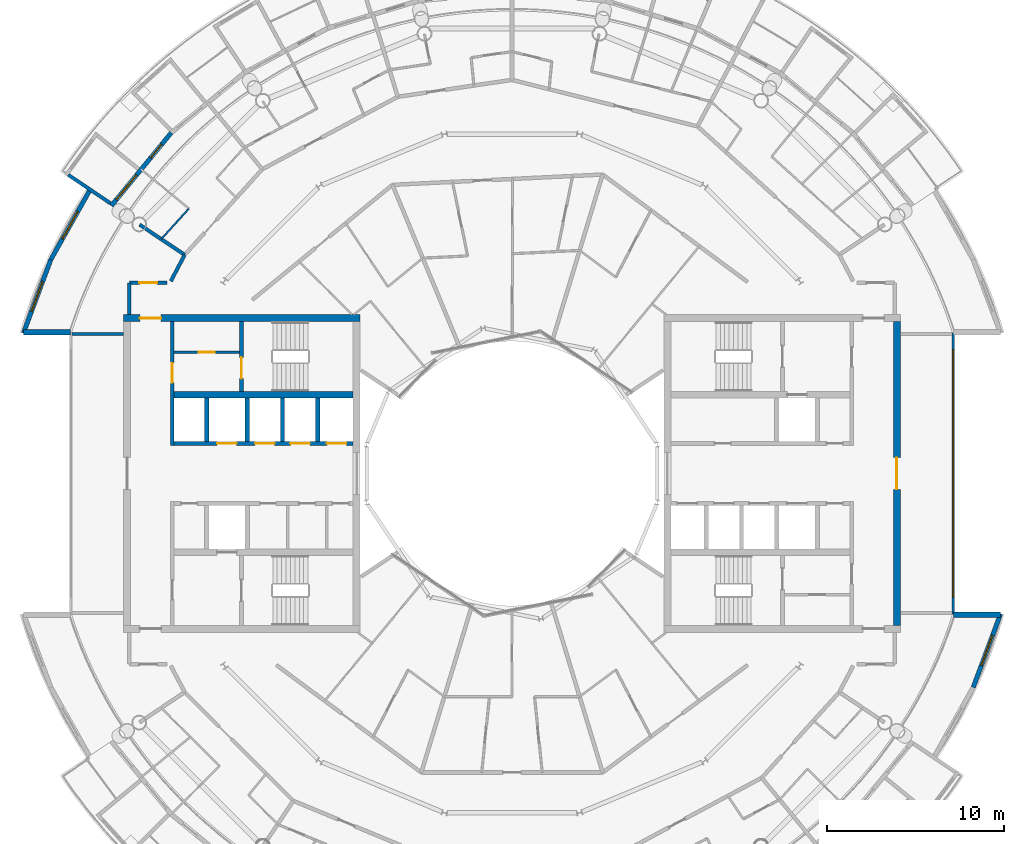
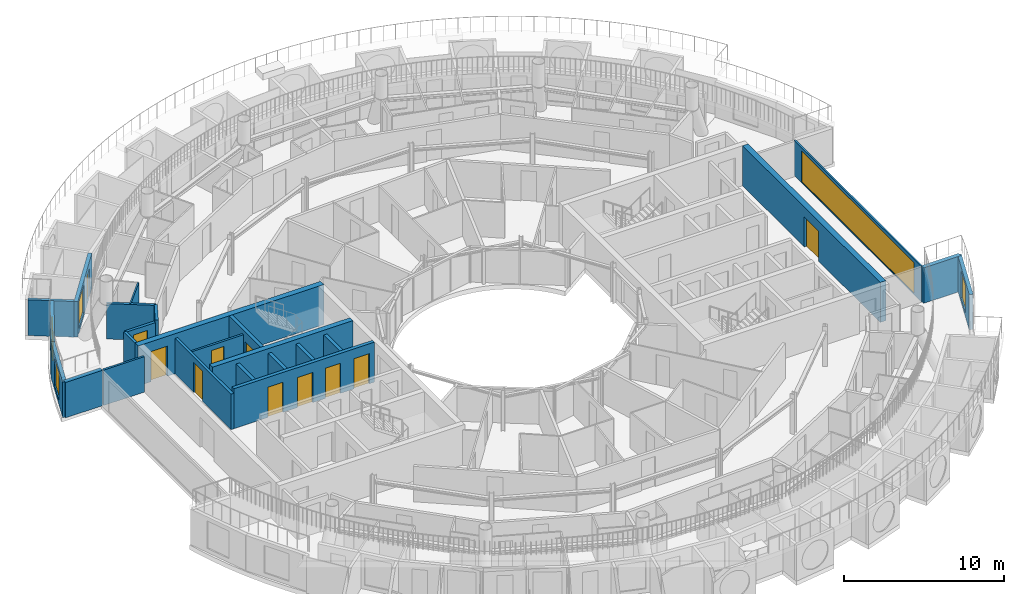
# One storey, part 19 of 29: 25 walls, 11 doors, 5 windows, 16 openings.
"""IFC4 building model written with IfcOpenShell, lengths in metres."""

from ifc_helpers import new_model, si_unit, direction, frame, frame_2d, origin, place, context, subcontext, project, spatial, rectangle, extrude, material, layer, layer_set, type_object, element, fill, save


model = new_model("IFC4")

# Units and contexts
model_context = context("Model", 3, precision=1e-05, world=origin(), true_north=direction((0.0, 1.0)))
body_context = subcontext(model_context, "Body", "Model", "MODEL_VIEW")
ifc_project = project(units=[si_unit("LENGTHUNIT", "METRE"), si_unit("AREAUNIT", "SQUARE_METRE"), si_unit("VOLUMEUNIT", "CUBIC_METRE"), si_unit("PLANEANGLEUNIT", "RADIAN"), si_unit("MASSUNIT", "GRAM", prefix="KILO")], contexts=[model_context])

# Site, building, storey
site_placement = place(None, origin())
site = spatial("IfcSite", under=ifc_project, at=site_placement, CompositionType="ELEMENT")
building_placement = place(site_placement, origin())
building = spatial("IfcBuilding", under=site, at=building_placement, Name="Maasbend Ring Residences", CompositionType="ELEMENT")
storey_placement = place(building_placement, frame((0.0, 0.0, 234.050048828125)))
storey = spatial("IfcBuildingStorey", under=building, at=storey_placement, Name="L67", CompositionType="ELEMENT", Elevation=234.050048828125)

# Wall, openings, doors
ifc_material_1 = material(Name="Concrete C50/60", Category="concrete")
ifc_layer_1 = layer(ifc_material_1, 0.25)
ifc_layer_set_1 = layer_set([ifc_layer_1], Name="Concrete C50/60")
wall_type_1 = type_object("IfcWallType", Name="CORE WALL 250 C50/60", PredefinedType="SHEAR", material=ifc_layer_set_1)
wall_1_placement = place(storey_placement, frame((-9.0, 1.699951171875, 0.0), z_axis=(0.0, 0.0, 1.0), x_axis=(-1.0, 0.0, 0.0)))
wall_1 = element("IfcWall", 1, at=wall_1_placement, inside=storey, type_object=wall_type_1, Name="L67 core W wall SPS", PredefinedType="SHEAR", context=body_context, shape_type="SweptSolid", body=[
    extrude(rectangle(XDim=10.14990234375, YDim=0.25, at=frame_2d((5.074951171875, 0.0))), origin(), (0.0, 0.0, 1.0), 3.050048828125),
])
opening_1_placement = place(wall_1_placement, frame((0.387451171875, 0.0, 0.0)))
opening_1 = element("IfcOpeningElement", 2, at=opening_1_placement, cuts=wall_1, Name="Opening LD-W6702", PredefinedType="OPENING", context=body_context, shape_type="SweptSolid", body=[
    extrude(rectangle(XDim=1.10009765625, YDim=2.300048828125, at=frame_2d((0.550048828125, 1.14990234375))), frame((0.0, 0.135009765625, 0.0), z_axis=(0.0, -1.0, 0.0), x_axis=(1.0, 0.0, 0.0)), (0.0, 0.0, 1.0), 0.27001953125),
])
opening_2_placement = place(wall_1_placement, frame((2.449951171875, 0.0, 0.0)))
opening_2 = element("IfcOpeningElement", 3, at=opening_2_placement, cuts=wall_1, Name="Opening LD-W6703", PredefinedType="OPENING", context=body_context, shape_type="SweptSolid", body=[
    extrude(rectangle(XDim=1.10009765625, YDim=2.300048828125, at=frame_2d((0.550048828125, 1.14990234375))), frame((0.0, 0.135009765625, 0.0), z_axis=(0.0, -1.0, 0.0), x_axis=(1.0, 0.0, 0.0)), (0.0, 0.0, 1.0), 0.27001953125),
])
opening_3_placement = place(wall_1_placement, frame((4.449951171875, 0.0, 0.0)))
opening_3 = element("IfcOpeningElement", 4, at=opening_3_placement, cuts=wall_1, Name="Opening LD-W6704", PredefinedType="OPENING", context=body_context, shape_type="SweptSolid", body=[
    extrude(rectangle(XDim=1.10009765625, YDim=2.300048828125, at=frame_2d((0.550048828125, 1.14990234375))), frame((0.0, 0.135009765625, 0.0), z_axis=(0.0, -1.0, 0.0), x_axis=(1.0, 0.0, 0.0)), (0.0, 0.0, 1.0), 0.27001953125),
])
opening_4_placement = place(wall_1_placement, frame((6.60009765625, 0.0, 0.0)))
opening_4 = element("IfcOpeningElement", 5, at=opening_4_placement, cuts=wall_1, Name="Opening LD-W6705", PredefinedType="OPENING", context=body_context, shape_type="SweptSolid", body=[
    extrude(rectangle(XDim=1.10009765625, YDim=2.300048828125, at=frame_2d((0.550048828125, 1.14990234375))), frame((0.0, 0.135009765625, 0.0), z_axis=(0.0, -1.0, 0.0), x_axis=(1.0, 0.0, 0.0)), (0.0, 0.0, 1.0), 0.27001953125),
])
ifc_material_2 = material(Name="Stainless steel 316", Category="steel")
door_type_1 = type_object("IfcDoorType", Name="LANDING DOOR 1100 X 2300 FD60", OperationType="DOUBLE_DOOR_SLIDING", PredefinedType="DOOR", material=ifc_material_2)
door_1_placement = place(opening_1_placement, origin())
door_1 = element("IfcDoor", 6, at=door_1_placement, inside=storey, type_object=door_type_1, Name="Landing door HR-W1 L67", OperationType="DOUBLE_DOOR_SLIDING", OverallHeight=2.300048828125, OverallWidth=1.10009765625, PredefinedType="DOOR", context=body_context, shape_type="SweptSolid", body=[
    extrude(rectangle(XDim=1.10009765625, YDim=2.300048828125, at=frame_2d((0.550048828125, 1.14990234375))), frame((0.0, 0.02490234375, 0.0), z_axis=(0.0, -1.0, 0.0), x_axis=(1.0, 0.0, 0.0)), (0.0, 0.0, 1.0), 0.050048828125),
])
fill(opening_1, door_1)
door_2_placement = place(opening_2_placement, origin())
door_2 = element("IfcDoor", 7, at=door_2_placement, inside=storey, type_object=door_type_1, Name="Landing door HR-W2 L67", OperationType="DOUBLE_DOOR_SLIDING", OverallHeight=2.300048828125, OverallWidth=1.10009765625, PredefinedType="DOOR", context=body_context, shape_type="SweptSolid", body=[
    extrude(rectangle(XDim=1.10009765625, YDim=2.300048828125, at=frame_2d((0.550048828125, 1.14990234375))), frame((0.0, 0.02490234375, 0.0), z_axis=(0.0, -1.0, 0.0), x_axis=(1.0, 0.0, 0.0)), (0.0, 0.0, 1.0), 0.050048828125),
])
fill(opening_2, door_2)
door_3_placement = place(opening_3_placement, origin())
door_3 = element("IfcDoor", 8, at=door_3_placement, inside=storey, type_object=door_type_1, Name="Landing door HR-W3 L67", OperationType="DOUBLE_DOOR_SLIDING", OverallHeight=2.300048828125, OverallWidth=1.10009765625, PredefinedType="DOOR", context=body_context, shape_type="SweptSolid", body=[
    extrude(rectangle(XDim=1.10009765625, YDim=2.300048828125, at=frame_2d((0.550048828125, 1.14990234375))), frame((0.0, 0.02490234375, 0.0), z_axis=(0.0, -1.0, 0.0), x_axis=(1.0, 0.0, 0.0)), (0.0, 0.0, 1.0), 0.050048828125),
])
fill(opening_3, door_3)
door_4_placement = place(opening_4_placement, origin())
door_4 = element("IfcDoor", 9, at=door_4_placement, inside=storey, type_object=door_type_1, Name="Landing door SV-W L67", OperationType="DOUBLE_DOOR_SLIDING", OverallHeight=2.300048828125, OverallWidth=1.10009765625, PredefinedType="DOOR", context=body_context, shape_type="SweptSolid", body=[
    extrude(rectangle(XDim=1.10009765625, YDim=2.300048828125, at=frame_2d((0.550048828125, 1.14990234375))), frame((0.0, 0.02490234375, 0.0), z_axis=(0.0, -1.0, 0.0), x_axis=(1.0, 0.0, 0.0)), (0.0, 0.0, 1.0), 0.050048828125),
])
fill(opening_4, door_4)

# Wall, opening, door
wall_2_placement = place(storey_placement, frame((-15.324951171875, 8.60009765625, 0.0), z_axis=(0.0, 0.0, 1.0), x_axis=(0.0, -1.0, 0.0)))
wall_2 = element("IfcWall", 10, at=wall_2_placement, inside=storey, type_object=wall_type_1, Name="L67 core W wall STES", PredefinedType="SHEAR", context=body_context, shape_type="SweptSolid", body=[
    extrude(rectangle(XDim=3.9501953125, YDim=0.25, at=frame_2d((1.97509765625, 0.0))), origin(), (0.0, 0.0, 1.0), 3.050048828125),
])
opening_5_placement = place(wall_2_placement, frame((2.02490234375, 0.0, 0.0)))
opening_5 = element("IfcOpeningElement", 11, at=opening_5_placement, cuts=wall_2, Name="Opening D-W6712", PredefinedType="OPENING", context=body_context, shape_type="SweptSolid", body=[
    extrude(rectangle(XDim=1.199951171875, YDim=2.300048828125, at=frame_2d((0.60009765625, 1.14990234375))), frame((0.0, 0.135009765625, 0.0), z_axis=(0.0, -1.0, 0.0), x_axis=(1.0, 0.0, 0.0)), (0.0, 0.0, 1.0), 0.27001953125),
])
ifc_material_3 = material(Name="Steel, powder coated", Category="steel")
door_type_2 = type_object("IfcDoorType", Name="STAIR DOOR 1200 X 2300 FD60", OperationType="NOTDEFINED", PredefinedType="DOOR", material=ifc_material_3)
door_5_placement = place(opening_5_placement, origin())
door_5 = element("IfcDoor", 12, at=door_5_placement, inside=storey, type_object=door_type_2, Name="Stair door ST-W L67", OperationType="SINGLE_SWING_LEFT", OverallHeight=2.300048828125, OverallWidth=1.199951171875, PredefinedType="DOOR", context=body_context, shape_type="SweptSolid", body=[
    extrude(rectangle(XDim=1.199951171875, YDim=2.300048828125, at=frame_2d((0.60009765625, 1.14990234375))), frame((0.0, 0.02490234375, 0.0), z_axis=(0.0, -1.0, 0.0), x_axis=(1.0, 0.0, 0.0)), (0.0, 0.0, 1.0), 0.050048828125),
])
fill(opening_5, door_5)

# Wall
ifc_material_4 = material(Name="Concrete C50/60", Category="concrete")
ifc_layer_2 = layer(ifc_material_4, 0.375)
ifc_layer_set_2 = layer_set([ifc_layer_2], Name="Concrete C50/60")
wall_type_2 = type_object("IfcWallType", Name="CORE WALL 375 C50/60", PredefinedType="SHEAR", material=ifc_layer_set_2)
wall_3_placement = place(storey_placement, frame((-9.0, 4.46240234375, 0.0), z_axis=(0.0, 0.0, 1.0), x_axis=(-1.0, 0.0, 0.0)))
element("IfcWall", 13, at=wall_3_placement, inside=storey, type_object=wall_type_2, Name="L67 core W wall BS", PredefinedType="SHEAR", context=body_context, shape_type="SweptSolid", body=[
    extrude(rectangle(XDim=10.14990234375, YDim=0.375, at=frame_2d((5.074951171875, 0.0))), origin(), (0.0, 0.0, 1.0), 3.050048828125),
])

# Wall, opening, door
ifc_material_5 = material(Name="Concrete C50/60", Category="concrete")
ifc_layer_3 = layer(ifc_material_5, 0.39990234375)
ifc_layer_set_3 = layer_set([ifc_layer_3], Name="Concrete C50/60")
wall_type_3 = type_object("IfcWallType", Name="CORE WALL 400 C50/60", PredefinedType="SHEAR", material=ifc_layer_set_3)
wall_4_placement = place(storey_placement, frame((21.800048828125, 8.60009765625, 0.0), z_axis=(0.0, 0.0, 1.0), x_axis=(0.0, -1.0, 0.0)))
wall_4 = element("IfcWall", 14, at=wall_4_placement, inside=storey, type_object=wall_type_3, Name="L67 core E wall POUT", PredefinedType="SHEAR", context=body_context, shape_type="SweptSolid", body=[
    extrude(rectangle(XDim=17.2001953125, YDim=0.39990234375, at=frame_2d((8.60009765625, 0.0))), origin(), (0.0, 0.0, 1.0), 3.050048828125),
])
opening_6_placement = place(wall_4_placement, frame((7.699951171875, 0.0, 0.0)))
opening_6 = element("IfcOpeningElement", 15, at=opening_6_placement, cuts=wall_4, Name="Opening D-E6716", PredefinedType="OPENING", context=body_context, shape_type="SweptSolid", body=[
    extrude(rectangle(XDim=1.800048828125, YDim=2.300048828125, at=frame_2d((0.89990234375, 1.14990234375))), frame((0.0, 0.2099609375, 0.0), z_axis=(0.0, -1.0, 0.0), x_axis=(1.0, 0.0, 0.0)), (0.0, 0.0, 1.0), 0.419921875),
])
ifc_material_6 = material(Name="Aluminium frame, clear glass", Category="aluminium")
door_type_3 = type_object("IfcDoorType", Name="ENTRANCE DOOR 1800 X 2300 FD60", OperationType="NOTDEFINED", PredefinedType="DOOR", material=ifc_material_6)
door_6_placement = place(opening_6_placement, origin())
door_6 = element("IfcDoor", 16, at=door_6_placement, inside=storey, type_object=door_type_3, Name="Lobby glazed door L67", OperationType="SINGLE_SWING_LEFT", OverallHeight=2.300048828125, OverallWidth=1.800048828125, PredefinedType="DOOR", context=body_context, shape_type="SweptSolid", body=[
    extrude(rectangle(XDim=1.800048828125, YDim=2.300048828125, at=frame_2d((0.89990234375, 1.14990234375))), frame((0.0, 0.02490234375, 0.0), z_axis=(0.0, -1.0, 0.0), x_axis=(1.0, 0.0, 0.0)), (0.0, 0.0, 1.0), 0.050048828125),
])
fill(opening_6, door_6)

wall_5_placement = place(storey_placement, frame((-8.60009765625, 8.800048828125, 0.0), z_axis=(0.0, 0.0, 1.0), x_axis=(-1.0, 0.0, 0.0)))
wall_5 = element("IfcWall", 17, at=wall_5_placement, inside=storey, type_object=wall_type_3, Name="L67 core W wall PS", PredefinedType="SHEAR", context=body_context, shape_type="SweptSolid", body=[
    extrude(rectangle(XDim=13.39990234375, YDim=0.39990234375, at=frame_2d((6.699951171875, 0.0))), origin(), (0.0, 0.0, 1.0), 3.050048828125),
])
opening_7_placement = place(wall_5_placement, frame((11.27490234375, 0.0, 0.0)))
opening_7 = element("IfcOpeningElement", 18, at=opening_7_placement, cuts=wall_5, Name="Opening D-W6716", PredefinedType="OPENING", context=body_context, shape_type="SweptSolid", body=[
    extrude(rectangle(XDim=1.199951171875, YDim=2.300048828125, at=frame_2d((0.60009765625, 1.14990234375))), frame((0.0, 0.2099609375, 0.0), z_axis=(0.0, -1.0, 0.0), x_axis=(1.0, 0.0, 0.0)), (0.0, 0.0, 1.0), 0.419921875),
])
ifc_material_7 = material(Name="Steel, powder coated", Category="steel")
door_type_4 = type_object("IfcDoorType", Name="CORRIDOR DOOR 1200 X 2300 FD30S", OperationType="NOTDEFINED", PredefinedType="DOOR", material=ifc_material_7)
door_7_placement = place(opening_7_placement, origin())
door_7 = element("IfcDoor", 19, at=door_7_placement, inside=storey, type_object=door_type_4, Name="Corridor door L67", OperationType="SINGLE_SWING_LEFT", OverallHeight=2.300048828125, OverallWidth=1.199951171875, PredefinedType="DOOR", context=body_context, shape_type="SweptSolid", body=[
    extrude(rectangle(XDim=1.199951171875, YDim=2.300048828125, at=frame_2d((0.60009765625, 1.14990234375))), frame((0.0, 0.02490234375, 0.0), z_axis=(0.0, -1.0, 0.0), x_axis=(1.0, 0.0, 0.0)), (0.0, 0.0, 1.0), 0.050048828125),
])
fill(opening_7, door_7)

ifc_material_8 = material(Name="Concrete C30/37", Category="concrete")
ifc_layer_4 = layer(ifc_material_8, 0.199951171875)
ifc_layer_set_4 = layer_set([ifc_layer_4], Name="Concrete C30/37")
wall_type_4 = type_object("IfcWallType", Name="CORRIDOR WALL 200 CONCRETE", PredefinedType="PARTITIONING", material=ifc_layer_set_4)
wall_6_placement = place(storey_placement, frame((-21.675048828125, 10.800048828125, 0.0), z_axis=(0.0, 0.0, 1.0), x_axis=(1.0, 0.0, 0.0)))
wall_6 = element("IfcWall", 20, at=wall_6_placement, inside=storey, type_object=wall_type_4, Name="U-L67-w096", PredefinedType="PARTITIONING", context=body_context, shape_type="SweptSolid", body=[
    extrude(rectangle(XDim=2.132080078125, YDim=0.199951171875, at=frame_2d((1.06591796875, 0.0))), origin(), (0.0, 0.0, 1.0), 2.699951171875),
])
opening_8_placement = place(wall_6_placement, frame((0.56591796875, 0.0, 0.0)))
opening_8 = element("IfcOpeningElement", 21, at=opening_8_placement, cuts=wall_6, Name="Opening D-6767", PredefinedType="OPENING", context=body_context, shape_type="SweptSolid", body=[
    extrude(rectangle(XDim=1.0, YDim=2.300048828125, at=frame_2d((0.5, 1.14990234375))), frame((0.0, 0.10986328125, 0.0), z_axis=(0.0, -1.0, 0.0), x_axis=(1.0, 0.0, 0.0)), (0.0, 0.0, 1.0), 0.219970703125),
])
ifc_material_9 = material(Name="Timber, painted", Category="wood")
door_type_5 = type_object("IfcDoorType", Name="ROOM DOOR 1000 X 2300", OperationType="NOTDEFINED", PredefinedType="DOOR", material=ifc_material_9)
door_8_placement = place(opening_8_placement, origin())
door_8 = element("IfcDoor", 22, at=door_8_placement, inside=storey, type_object=door_type_5, Name="D-6767", OperationType="SINGLE_SWING_LEFT", OverallHeight=2.300048828125, OverallWidth=1.0, PredefinedType="DOOR", context=body_context, shape_type="SweptSolid", body=[
    extrude(rectangle(XDim=1.0, YDim=2.300048828125, at=frame_2d((0.5, 1.14990234375))), frame((0.0, 0.02490234375, 0.0), z_axis=(0.0, -1.0, 0.0), x_axis=(1.0, 0.0, 0.0)), (0.0, 0.0, 1.0), 0.050048828125),
])
fill(opening_8, door_8)

# Walls
wall_7_placement = place(storey_placement, frame((-21.675048828125, 9.0, 0.0), z_axis=(0.0, 0.0, 1.0), x_axis=(0.0, 1.0, 0.0)))
element("IfcWall", 23, at=wall_7_placement, inside=storey, type_object=wall_type_4, Name="U-L67-w110", PredefinedType="PARTITIONING", context=body_context, shape_type="SweptSolid", body=[
    extrude(rectangle(XDim=1.800048828125, YDim=0.199951171875, at=frame_2d((0.89990234375, 0.0))), origin(), (0.0, 0.0, 1.0), 2.699951171875),
])
wall_8_placement = place(storey_placement, frame((-19.327880859375, 10.89599609375, 0.0), z_axis=(0.0, 0.0, 1.0), x_axis=(0.465812036273, 0.88488369115, 0.0)))
element("IfcWall", 24, at=wall_8_placement, inside=storey, type_object=wall_type_4, Name="U-L67-w114", PredefinedType="PARTITIONING", context=body_context, shape_type="SweptSolid", body=[
    extrude(rectangle(XDim=1.687255859375, YDim=0.199951171875, at=frame_2d((0.84375, 0.0))), origin(), (0.0, 0.0, 1.0), 2.699951171875),
])
ifc_material_10 = material(Name="Pale anodised aluminium panel", Category="aluminium")
ifc_layer_5 = layer(ifc_material_10, 0.199951171875)
ifc_layer_set_5 = layer_set([ifc_layer_5], Name="EW-BOX")
wall_type_5 = type_object("IfcWallType", Name="EW-BOX", PredefinedType="SOLIDWALL", material=ifc_layer_set_5)
wall_9_placement = place(storey_placement, frame((-22.74609375, 15.306884765625, -0.030029296875), z_axis=(0.0, 0.0, 1.0), x_axis=(-0.829448139117, 0.558583730979, 0.0)))
element("IfcWall", 25, at=wall_9_placement, inside=storey, type_object=wall_type_5, Name="Box side wall N20 right", PredefinedType="SOLIDWALL", context=body_context, shape_type="SweptSolid", body=[
    extrude(rectangle(XDim=2.882568359375, YDim=0.199951171875, at=frame_2d((1.44140625, 0.0))), origin(), (0.0, 0.0, 1.0), 2.72998046875),
])

# Wall, openings, door, window
ifc_material_11 = material(Name="Aluminium clad insulated panel", Category="aluminium")
ifc_layer_6 = layer(ifc_material_11, 0.25)
ifc_layer_set_6 = layer_set([ifc_layer_6], Name="EW-GL")
wall_type_6 = type_object("IfcWallType", Name="EW-GL", PredefinedType="SOLIDWALL", material=ifc_layer_set_6)
wall_10_placement = place(storey_placement, frame((-19.303955078125, 19.303955078125, 0.0), z_axis=(0.0, 0.0, 1.0), x_axis=(-0.634382322723, -0.773019449054, 0.0)))
wall_10 = element("IfcWall", 26, at=wall_10_placement, inside=storey, type_object=wall_type_6, Name="External wall N10", PredefinedType="SOLIDWALL", context=body_context, shape_type="SweptSolid", body=[
    extrude(rectangle(XDim=5.351806640625, YDim=0.25, at=frame_2d((2.67578125, 0.0))), origin(), (0.0, 0.0, 1.0), 2.699951171875),
])
opening_9_placement = place(wall_10_placement, frame((0.841064453125, 0.0, 0.0)))
opening_9 = element("IfcOpeningElement", 27, at=opening_9_placement, cuts=wall_10, Name="Opening D-LG", PredefinedType="OPENING", context=body_context, shape_type="SweptSolid", body=[
    extrude(rectangle(XDim=1.0, YDim=2.199951171875, at=frame_2d((0.5, 1.10009765625))), frame((0.0, 0.135009765625, 0.0), z_axis=(0.0, -1.0, 0.0), x_axis=(1.0, 0.0, 0.0)), (0.0, 0.0, 1.0), 0.27001953125),
])
opening_10_placement = place(wall_10_placement, frame((3.095947265625, 0.0, 0.300048828125)))
opening_10 = element("IfcOpeningElement", 28, at=opening_10_placement, cuts=wall_10, Name="Opening W-BX", PredefinedType="OPENING", context=body_context, shape_type="SweptSolid", body=[
    extrude(rectangle(XDim=1.800048828125, YDim=2.10009765625, at=frame_2d((0.89990234375, 1.050048828125))), frame((0.0, 0.135009765625, 0.0), z_axis=(0.0, -1.0, 0.0), x_axis=(1.0, 0.0, 0.0)), (0.0, 0.0, 1.0), 0.27001953125),
])
ifc_material_12 = material(Name="Aluminium and clear glass", Category="aluminium")
door_type_6 = type_object("IfcDoorType", Name="D-LG", OperationType="SINGLE_SWING_LEFT", PredefinedType="DOOR", material=ifc_material_12)
door_9_placement = place(opening_9_placement, origin())
door_9 = element("IfcDoor", 29, at=door_9_placement, inside=storey, type_object=door_type_6, Name="Loggia door N19", OperationType="SINGLE_SWING_LEFT", OverallHeight=2.199951171875, OverallWidth=1.0, PredefinedType="DOOR", context=body_context, shape_type="SweptSolid", body=[
    extrude(rectangle(XDim=1.0, YDim=2.199951171875, at=frame_2d((0.5, 1.10009765625))), frame((0.0, 0.02490234375, 0.0), z_axis=(0.0, -1.0, 0.0), x_axis=(1.0, 0.0, 0.0)), (0.0, 0.0, 1.0), 0.050048828125),
])
fill(opening_9, door_9)
ifc_material_13 = material(Name="Aluminium and clear glass", Category="aluminium")
window_type_1 = type_object("IfcWindowType", Name="W-BX", PartitioningType="DOUBLE_PANEL_VERTICAL", PredefinedType="WINDOW", material=ifc_material_13)
window_1_placement = place(opening_10_placement, origin())
window_1 = element("IfcWindow", 30, at=window_1_placement, inside=storey, type_object=window_type_1, Name="Window N20 room to box", OverallHeight=2.10009765625, OverallWidth=1.800048828125, PartitioningType="SINGLE_PANEL", PredefinedType="WINDOW", context=body_context, shape_type="SweptSolid", body=[
    extrude(rectangle(XDim=1.800048828125, YDim=2.10009765625, at=frame_2d((0.89990234375, 1.050048828125))), frame((0.0, 0.030029296875, 0.0), z_axis=(0.0, -1.0, 0.0), x_axis=(1.0, 0.0, 0.0)), (0.0, 0.0, 1.0), 0.06005859375),
])
fill(opening_10, window_1)

# Wall, opening, window
ifc_material_14 = material(Name="Aluminium clad insulated panel", Category="aluminium")
ifc_layer_7 = layer(ifc_material_14, 0.25)
ifc_layer_set_7 = layer_set([ifc_layer_7], Name="EW-HORN")
wall_type_7 = type_object("IfcWallType", Name="EW-HORN", PredefinedType="SOLIDWALL", material=ifc_layer_set_7)
wall_11_placement = place(storey_placement, frame((26.126953125, -12.116943359375, 0.0), z_axis=(0.0, 0.0, 1.0), x_axis=(0.349247811493, 0.937030397675, 0.0)))
wall_11 = element("IfcWall", 31, at=wall_11_placement, inside=storey, type_object=wall_type_7, Name="Horn wall 2.2", PredefinedType="SOLIDWALL", context=body_context, shape_type="SweptSolid", body=[
    extrude(rectangle(XDim=4.4521484375, YDim=0.25, at=frame_2d((2.22607421875, 0.0))), origin(), (0.0, 0.0, 1.0), 2.699951171875),
])
opening_11_placement = place(wall_11_placement, frame((1.32666015625, 0.0, 0.300048828125)))
opening_11 = element("IfcOpeningElement", 32, at=opening_11_placement, cuts=wall_11, Name="Opening W-BX", PredefinedType="OPENING", context=body_context, shape_type="SweptSolid", body=[
    extrude(rectangle(XDim=1.800048828125, YDim=2.10009765625, at=frame_2d((0.89990234375, 1.050048828125))), frame((0.0, 0.135009765625, 0.0), z_axis=(0.0, -1.0, 0.0), x_axis=(1.0, 0.0, 0.0)), (0.0, 0.0, 1.0), 0.27001953125),
])
window_2_placement = place(opening_11_placement, origin())
window_2 = element("IfcWindow", 33, at=window_2_placement, inside=storey, type_object=window_type_1, Name="Horn window 2.2", OverallHeight=2.10009765625, OverallWidth=1.800048828125, PartitioningType="SINGLE_PANEL", PredefinedType="WINDOW", context=body_context, shape_type="SweptSolid", body=[
    extrude(rectangle(XDim=1.800048828125, YDim=2.10009765625, at=frame_2d((0.89990234375, 1.050048828125))), frame((0.0, 0.030029296875, 0.0), z_axis=(0.0, -1.0, 0.0), x_axis=(1.0, 0.0, 0.0)), (0.0, 0.0, 1.0), 0.06005859375),
])
fill(opening_11, window_2)

wall_12_placement = place(storey_placement, frame((-23.946044921875, 16.0, 0.0), z_axis=(0.0, 0.0, 1.0), x_axis=(-0.489696356642, -0.871893042919, 0.0)))
wall_12 = element("IfcWall", 34, at=wall_12_placement, inside=storey, type_object=wall_type_7, Name="Horn wall 4.1", PredefinedType="SOLIDWALL", context=body_context, shape_type="SweptSolid", body=[
    extrude(rectangle(XDim=4.45361328125, YDim=0.25, at=frame_2d((2.226806640625, 0.0))), origin(), (0.0, 0.0, 1.0), 2.699951171875),
])
opening_12_placement = place(wall_12_placement, frame((1.32666015625, 0.0, 0.300048828125)))
opening_12 = element("IfcOpeningElement", 35, at=opening_12_placement, cuts=wall_12, Name="Opening W-BX", PredefinedType="OPENING", context=body_context, shape_type="SweptSolid", body=[
    extrude(rectangle(XDim=1.800048828125, YDim=2.10009765625, at=frame_2d((0.89990234375, 1.050048828125))), frame((0.0, 0.135009765625, 0.0), z_axis=(0.0, -1.0, 0.0), x_axis=(1.0, 0.0, 0.0)), (0.0, 0.0, 1.0), 0.27001953125),
])
window_3_placement = place(opening_12_placement, origin())
window_3 = element("IfcWindow", 36, at=window_3_placement, inside=storey, type_object=window_type_1, Name="Horn window 4.1", OverallHeight=2.10009765625, OverallWidth=1.800048828125, PartitioningType="SINGLE_PANEL", PredefinedType="WINDOW", context=body_context, shape_type="SweptSolid", body=[
    extrude(rectangle(XDim=1.800048828125, YDim=2.10009765625, at=frame_2d((0.89990234375, 1.050048828125))), frame((0.0, 0.030029296875, 0.0), z_axis=(0.0, -1.0, 0.0), x_axis=(1.0, 0.0, 0.0)), (0.0, 0.0, 1.0), 0.06005859375),
])
fill(opening_12, window_3)

wall_13_placement = place(storey_placement, frame((-26.126953125, 12.116943359375, 0.0), z_axis=(0.0, 0.0, 1.0), x_axis=(-0.349247811493, -0.937030397675, 0.0)))
wall_13 = element("IfcWall", 37, at=wall_13_placement, inside=storey, type_object=wall_type_7, Name="Horn wall 4.2", PredefinedType="SOLIDWALL", context=body_context, shape_type="SweptSolid", body=[
    extrude(rectangle(XDim=4.4521484375, YDim=0.25, at=frame_2d((2.22607421875, 0.0))), origin(), (0.0, 0.0, 1.0), 2.699951171875),
])
opening_13_placement = place(wall_13_placement, frame((1.32666015625, 0.0, 0.300048828125)))
opening_13 = element("IfcOpeningElement", 38, at=opening_13_placement, cuts=wall_13, Name="Opening W-BX", PredefinedType="OPENING", context=body_context, shape_type="SweptSolid", body=[
    extrude(rectangle(XDim=1.800048828125, YDim=2.10009765625, at=frame_2d((0.89990234375, 1.050048828125))), frame((0.0, 0.135009765625, 0.0), z_axis=(0.0, -1.0, 0.0), x_axis=(1.0, 0.0, 0.0)), (0.0, 0.0, 1.0), 0.27001953125),
])
window_4_placement = place(opening_13_placement, origin())
window_4 = element("IfcWindow", 39, at=window_4_placement, inside=storey, type_object=window_type_1, Name="Horn window 4.2", OverallHeight=2.10009765625, OverallWidth=1.800048828125, PartitioningType="SINGLE_PANEL", PredefinedType="WINDOW", context=body_context, shape_type="SweptSolid", body=[
    extrude(rectangle(XDim=1.800048828125, YDim=2.10009765625, at=frame_2d((0.89990234375, 1.050048828125))), frame((0.0, 0.030029296875, 0.0), z_axis=(0.0, -1.0, 0.0), x_axis=(1.0, 0.0, 0.0)), (0.0, 0.0, 1.0), 0.06005859375),
])
fill(opening_13, window_4)

# Walls
ifc_material_15 = material(Name="Aluminium clad insulated panel", Category="aluminium")
ifc_layer_8 = layer(ifc_material_15, 0.300048828125)
ifc_layer_set_8 = layer_set([ifc_layer_8], Name="EW-RET")
wall_type_8 = type_object("IfcWallType", Name="EW-RET", PredefinedType="SOLIDWALL", material=ifc_layer_set_8)
for number, where, z_axis, x_axis, name in (
    (40, (25.0, -8.0, 0.0), (0.0, 0.0, 1.0), (1.0, 0.0, 0.0), "Notch return wall east south"),
    (41, (-25.0, 8.0, 0.0), (0.0, 0.0, 1.0), (-1.0, 0.0, 0.0), "Notch return wall west north"),
):
    element("IfcWall", number, at=place(storey_placement, frame(where, z_axis=z_axis, x_axis=x_axis)), inside=storey, type_object=wall_type_8, Name=name, PredefinedType="SOLIDWALL", context=body_context, shape_type="SweptSolid", body=[
        extrude(rectangle(XDim=2.6669921875, YDim=0.300048828125, at=frame_2d((1.33349609375, 0.0))), origin(), (0.0, 0.0, 1.0), 2.699951171875),
    ])

# Wall, opening, window
ifc_material_16 = material(Name="Aluminium frame and clear glass", Category="aluminium")
ifc_layer_9 = layer(ifc_material_16, 0.1201171875)
ifc_layer_set_9 = layer_set([ifc_layer_9], Name="GLAZED SCREEN WALL 120 EI 60")
wall_type_9 = type_object("IfcWallType", Name="GLAZED SCREEN WALL 120 EI 60", PredefinedType="PARTITIONING", material=ifc_layer_set_9)
wall_14_placement = place(storey_placement, frame((25.0, -7.949951171875, 0.0), z_axis=(0.0, 0.0, 1.0), x_axis=(0.0, 1.0, 0.0)))
wall_14 = element("IfcWall", 42, at=wall_14_placement, inside=storey, type_object=wall_type_9, Name="L67 core E wall FACE", PredefinedType="PARTITIONING", context=body_context, shape_type="SweptSolid", body=[
    extrude(rectangle(XDim=15.89990234375, YDim=0.1201171875, at=frame_2d((7.949951171875, 0.0))), origin(), (0.0, 0.0, 1.0), 2.699951171875),
])
opening_14_placement = place(wall_14_placement, frame((0.949951171875, 0.0, 0.10009765625)))
opening_14 = element("IfcOpeningElement", 43, at=opening_14_placement, cuts=wall_14, Name="Opening W-E6702", PredefinedType="OPENING", context=body_context, shape_type="SweptSolid", body=[
    extrude(rectangle(XDim=14.0, YDim=2.35009765625, at=frame_2d((7.0, 1.175048828125))), frame((0.0, 0.070068359375, 0.0), z_axis=(0.0, -1.0, 0.0), x_axis=(1.0, 0.0, 0.0)), (0.0, 0.0, 1.0), 0.14013671875),
])
ifc_material_17 = material(Name="Aluminium frame and clear glass", Category="aluminium")
window_type_2 = type_object("IfcWindowType", Name="FIXED WINDOW 14000 X 2350", PartitioningType="SINGLE_PANEL", PredefinedType="WINDOW", material=ifc_material_17)
window_5_placement = place(opening_14_placement, origin())
window_5 = element("IfcWindow", 44, at=window_5_placement, inside=storey, type_object=window_type_2, Name="Lobby window L67", OverallHeight=2.35009765625, OverallWidth=14.0, PartitioningType="SINGLE_PANEL", PredefinedType="WINDOW", context=body_context, shape_type="SweptSolid", body=[
    extrude(rectangle(XDim=14.0, YDim=2.35009765625, at=frame_2d((7.0, 1.175048828125))), frame((0.0, 0.030029296875, 0.0), z_axis=(0.0, -1.0, 0.0), x_axis=(1.0, 0.0, 0.0)), (0.0, 0.0, 1.0), 0.06005859375),
])
fill(opening_14, window_5)

# Wall
ifc_material_18 = material(Name="Gypsum board on steel studs", Category="steel")
ifc_layer_10 = layer(ifc_material_18, 0.10009765625)
ifc_layer_set_10 = layer_set([ifc_layer_10], Name="PARTITION 100 GYPSUM")
wall_type_10 = type_object("IfcWallType", Name="PARTITION 100 GYPSUM", PredefinedType="PARTITIONING", material=ifc_layer_set_10)
wall_15_placement = place(storey_placement, frame((-19.8720703125, 13.278076171875, 0.0), z_axis=(0.0, 0.0, 1.0), x_axis=(0.671637685376, 0.740879760544, 0.0)))
element("IfcWall", 45, at=wall_15_placement, inside=storey, type_object=wall_type_10, Name="U-L67-w122", PredefinedType="PARTITIONING", context=body_context, shape_type="SweptSolid", body=[
    extrude(rectangle(XDim=2.337646484375, YDim=0.10009765625, at=frame_2d((1.1689453125, 0.0))), origin(), (0.0, 0.0, 1.0), 2.699951171875),
])

# Wall, opening, door
ifc_material_19 = material(Name="Gypsum board on steel studs", Category="steel")
ifc_layer_11 = layer(ifc_material_19, 0.14990234375)
ifc_layer_set_11 = layer_set([ifc_layer_11], Name="PARTITION 150 EI 60")
wall_type_11 = type_object("IfcWallType", Name="PARTITION 150 EI 60", PredefinedType="PARTITIONING", material=ifc_layer_set_11)
wall_16_placement = place(storey_placement, frame((-15.449951171875, 6.875, 0.0), z_axis=(0.0, 0.0, 1.0), x_axis=(-1.0, 0.0, 0.0)))
wall_16 = element("IfcWall", 46, at=wall_16_placement, inside=storey, type_object=wall_type_11, Name="L67 core W wall RHS", PredefinedType="PARTITIONING", context=body_context, shape_type="SweptSolid", body=[
    extrude(rectangle(XDim=3.699951171875, YDim=0.14990234375, at=frame_2d((1.85009765625, 0.0))), origin(), (0.0, 0.0, 1.0), 2.699951171875),
])
opening_15_placement = place(wall_16_placement, frame((1.39990234375, 0.0, 0.0)))
opening_15 = element("IfcOpeningElement", 47, at=opening_15_placement, cuts=wall_16, Name="Opening D-W6710", PredefinedType="OPENING", context=body_context, shape_type="SweptSolid", body=[
    extrude(rectangle(XDim=0.89990234375, YDim=2.300048828125, at=frame_2d((0.449951171875, 1.14990234375))), frame((0.0, 0.0849609375, 0.0), z_axis=(0.0, -1.0, 0.0), x_axis=(1.0, 0.0, 0.0)), (0.0, 0.0, 1.0), 0.169921875),
])
ifc_material_20 = material(Name="Steel, powder coated", Category="steel")
door_type_7 = type_object("IfcDoorType", Name="RISER DOOR 900 X 2300 FD60", OperationType="NOTDEFINED", PredefinedType="DOOR", material=ifc_material_20)
door_10_placement = place(opening_15_placement, origin())
door_10 = element("IfcDoor", 48, at=door_10_placement, inside=storey, type_object=door_type_7, Name="Riser door L67", OperationType="SINGLE_SWING_LEFT", OverallHeight=2.300048828125, OverallWidth=0.89990234375, PredefinedType="DOOR", context=body_context, shape_type="SweptSolid", body=[
    extrude(rectangle(XDim=0.89990234375, YDim=2.300048828125, at=frame_2d((0.449951171875, 1.14990234375))), frame((0.0, 0.02490234375, 0.0), z_axis=(0.0, -1.0, 0.0), x_axis=(1.0, 0.0, 0.0)), (0.0, 0.0, 1.0), 0.050048828125),
])
fill(opening_15, door_10)

# Walls
wall_17_placement = place(storey_placement, frame((-22.0, 7.89990234375, 0.0), z_axis=(0.0, 0.0, 1.0), x_axis=(-1.0, 0.0, 0.0)))
element("IfcWall", 49, at=wall_17_placement, inside=storey, type_object=wall_type_11, Name="L67 core W wall CITS", PredefinedType="PARTITIONING", context=body_context, shape_type="SweptSolid", body=[
    extrude(rectangle(XDim=2.93994140625, YDim=0.14990234375, at=frame_2d((1.469970703125, 0.0))), origin(), (0.0, 0.0, 1.0), 2.699951171875),
])
ifc_material_21 = material(Name="Concrete C30/37", Category="concrete")
ifc_layer_12 = layer(ifc_material_21, 0.199951171875)
ifc_layer_set_12 = layer_set([ifc_layer_12], Name="Concrete C30/37")
wall_type_12 = type_object("IfcWallType", Name="PARTY WALL 200 CONCRETE", PredefinedType="PARTITIONING", material=ifc_layer_set_12)
wall_18_placement = place(storey_placement, frame((-21.096923828125, 14.096923828125, 0.0), z_axis=(0.0, 0.0, 1.0), x_axis=(0.831340764735, -0.555763018642, 0.0)))
element("IfcWall", 50, at=wall_18_placement, inside=storey, type_object=wall_type_12, Name="U-L67-w040", PredefinedType="PARTITIONING", context=body_context, shape_type="SweptSolid", body=[
    extrude(rectangle(XDim=3.0732421875, YDim=0.199951171875, at=frame_2d((1.53662109375, 0.0))), origin(), (0.0, 0.0, 1.0), 2.699951171875),
])

# Wall, opening, door
ifc_material_22 = material(Name="Concrete C30/37", Category="concrete")
ifc_layer_13 = layer(ifc_material_22, 0.199951171875)
ifc_layer_set_13 = layer_set([ifc_layer_13], Name="Concrete C30/37")
wall_type_13 = type_object("IfcWallType", Name="SHAFT WALL 200 EI 120", PredefinedType="SOLIDWALL", material=ifc_layer_set_13)
wall_19_placement = place(storey_placement, frame((-19.25, 8.60009765625, 0.0), z_axis=(0.0, 0.0, 1.0), x_axis=(0.0, -1.0, 0.0)))
wall_19 = element("IfcWall", 51, at=wall_19_placement, inside=storey, type_object=wall_type_13, Name="L67 core W wall ENDS", PredefinedType="SOLIDWALL", context=body_context, shape_type="SweptSolid", body=[
    extrude(rectangle(XDim=7.025146484375, YDim=0.199951171875, at=frame_2d((3.5126953125, 0.0))), origin(), (0.0, 0.0, 1.0), 2.699951171875),
])
opening_16_placement = place(wall_19_placement, frame((2.35009765625, 0.0, 0.0)))
opening_16 = element("IfcOpeningElement", 52, at=opening_16_placement, cuts=wall_19, Name="Opening D-W6714", PredefinedType="OPENING", context=body_context, shape_type="SweptSolid", body=[
    extrude(rectangle(XDim=1.10009765625, YDim=2.300048828125, at=frame_2d((0.550048828125, 1.14990234375))), frame((0.0, 0.10986328125, 0.0), z_axis=(0.0, -1.0, 0.0), x_axis=(1.0, 0.0, 0.0)), (0.0, 0.0, 1.0), 0.219970703125),
])
ifc_material_23 = material(Name="Steel, powder coated", Category="steel")
door_type_8 = type_object("IfcDoorType", Name="LOBBY DOOR 1100 X 2300 FD60", OperationType="NOTDEFINED", PredefinedType="DOOR", material=ifc_material_23)
door_11_placement = place(opening_16_placement, origin())
door_11 = element("IfcDoor", 53, at=door_11_placement, inside=storey, type_object=door_type_8, Name="Lobby door L67", OperationType="SINGLE_SWING_RIGHT", OverallHeight=2.300048828125, OverallWidth=1.10009765625, PredefinedType="DOOR", context=body_context, shape_type="SweptSolid", body=[
    extrude(rectangle(XDim=1.10009765625, YDim=2.300048828125, at=frame_2d((0.550048828125, 1.14990234375))), frame((0.0, 0.02490234375, 0.0), z_axis=(0.0, -1.0, 0.0), x_axis=(1.0, 0.0, 0.0)), (0.0, 0.0, 1.0), 0.050048828125),
])
fill(opening_16, door_11)

# Walls
ifc_material_24 = material(Name="Concrete C30/37", Category="concrete")
ifc_layer_14 = layer(ifc_material_24, 0.25)
ifc_layer_set_14 = layer_set([ifc_layer_14], Name="Concrete C30/37")
wall_type_14 = type_object("IfcWallType", Name="SHAFT WALL 250 EI 120", PredefinedType="SOLIDWALL", material=ifc_layer_set_14)
for number, where, z_axis, x_axis, name in (
    (54, (-15.0, 1.824951171875, 0.0), (0.0, 0.0, 1.0), (0.0, 1.0, 0.0), "L67 core W wall D150S"),
    (55, (-17.300048828125, 1.824951171875, 0.0), (0.0, 0.0, 1.0), (0.0, 1.0, 0.0), "L67 core W wall D173S"),
    (56, (-11.0, 1.824951171875, 0.0), (0.0, 0.0, 1.0), (0.0, 1.0, 0.0), "L67 core W wall D110S"),
    (57, (-13.0, 1.824951171875, 0.0), (0.0, 0.0, 1.0), (0.0, 1.0, 0.0), "L67 core W wall D130S"),
):
    element("IfcWall", number, at=place(storey_placement, frame(where, z_axis=z_axis, x_axis=x_axis)), inside=storey, type_object=wall_type_14, Name=name, PredefinedType="SOLIDWALL", context=body_context, shape_type="SweptSolid", body=[
        extrude(rectangle(XDim=2.449951171875, YDim=0.25, at=frame_2d((1.22509765625, 0.0))), origin(), (0.0, 0.0, 1.0), 2.699951171875),
    ])

save(model, "model.ifc")
